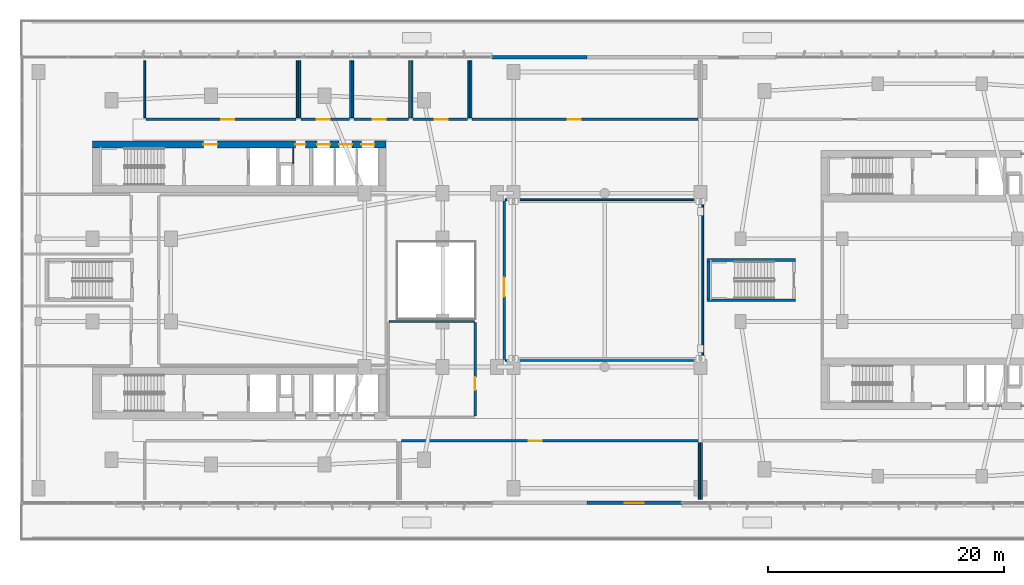
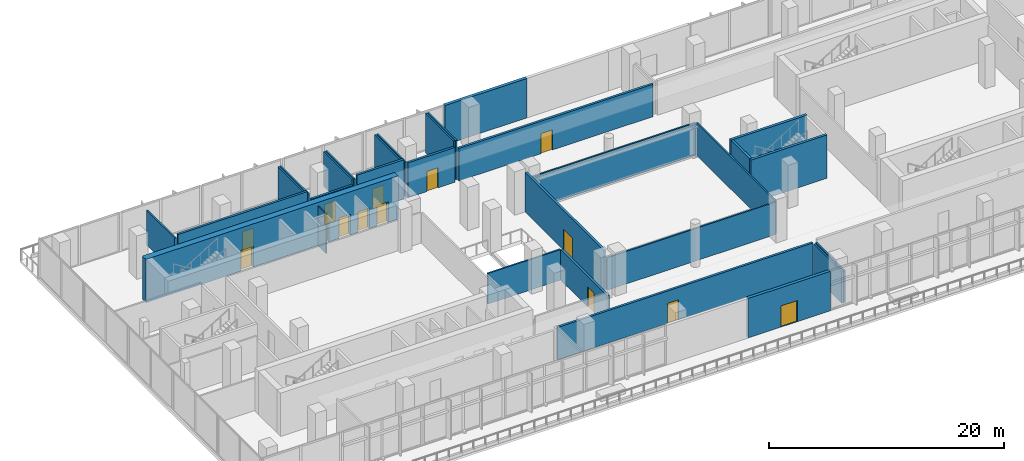
# One storey, part 15 of 31: 30 walls, 14 doors, 14 openings.
"""IFC4 building model written with IfcOpenShell, lengths in metres."""

from ifc_helpers import new_model, si_unit, derived_unit, direction, frame, frame_2d, origin, place, context, subcontext, project, spatial, rectangle, extrude, material, layer, layer_set, type_object, element, fill, save


model = new_model("IFC4")

# Units and contexts
model_context = context("Model", 3, precision=1e-05, world=origin(), true_north=direction((0.0, 1.0)))
body_context = subcontext(model_context, "Body", "Model", "MODEL_VIEW")
ifc_project = project(units=[si_unit("LENGTHUNIT", "METRE"), si_unit("AREAUNIT", "SQUARE_METRE"), si_unit("VOLUMEUNIT", "CUBIC_METRE"), si_unit("PLANEANGLEUNIT", "RADIAN"), si_unit("MASSUNIT", "GRAM", prefix="KILO"), derived_unit("THERMALTRANSMITTANCEUNIT", [(si_unit("POWERUNIT", "WATT"), 1), (si_unit("LENGTHUNIT", "METRE"), -2), (si_unit("THERMODYNAMICTEMPERATUREUNIT", "KELVIN"), -1)])], contexts=[model_context])

# Site, building, storey
site_placement = place(None, origin())
site = spatial("IfcSite", under=ifc_project, at=site_placement, CompositionType="ELEMENT")
building_placement = place(site_placement, origin())
building = spatial("IfcBuilding", under=site, at=building_placement, Name="Kivonza Crest Hotel", CompositionType="ELEMENT")
storey_placement = place(building_placement, frame((0.0, 0.0, 15.0)))
storey = spatial("IfcBuildingStorey", under=building, at=storey_placement, Name="L03", CompositionType="ELEMENT", Elevation=15.0)

# Wall, opening, door
ifc_material_1 = material(Name="Autoclaved aerated concrete blockwork", Category="masonry")
ifc_layer_1 = layer(ifc_material_1, 0.219970703125)
ifc_layer_set_1 = layer_set([ifc_layer_1], Name="Autoclaved aerated concrete blockwork")
wall_type_1 = type_object("IfcWallType", Name="WL-ACOU-220", PredefinedType="SOLIDWALL", material=ifc_layer_set_1)
wall_1_placement = place(storey_placement, frame((38.550048828125, 13.5, 0.0), z_axis=(0.0, 0.0, 1.0), x_axis=(0.0, 1.0, 0.0)))
wall_1 = element("IfcWall", 1, at=wall_1_placement, inside=storey, type_object=wall_type_1, Name="L03 interior partition WA-L03-CONF-B-E", PredefinedType="SOLIDWALL", context=body_context, shape_type="SweptSolid", body=[
    extrude(rectangle(XDim=7.89990234375, YDim=0.219970703125, at=frame_2d((3.949951171875, 0.0))), origin(), (0.0, 0.0, 1.0), 3.175048828125),
])
opening_1_placement = place(wall_1_placement, frame((2.199951171875, 0.0, 0.0)))
opening_1 = element("IfcOpeningElement", 2, at=opening_1_placement, cuts=wall_1, Name="Opening DF-60M", PredefinedType="OPENING", context=body_context, shape_type="SweptSolid", body=[
    extrude(rectangle(XDim=1.10009765625, YDim=2.10009765625, at=frame_2d((0.550048828125, 1.050048828125))), frame((0.0, 0.1201171875, 0.0), z_axis=(0.0, -1.0, 0.0), x_axis=(1.0, 0.0, 0.0)), (0.0, 0.0, 1.0), 0.239990234375),
])
ifc_material_2 = material(Name="Hardwood timber oak", Category="wood")
door_type_1 = type_object("IfcDoorType", Name="DR-FD60-1100", OperationType="NOTDEFINED", PredefinedType="DOOR", material=ifc_material_2)
door_1_placement = place(opening_1_placement, origin())
door_1 = element("IfcDoor", 3, at=door_1_placement, inside=storey, type_object=door_type_1, Name="L03 Conference Room B door", OperationType="SINGLE_SWING_RIGHT", OverallHeight=2.10009765625, OverallWidth=1.10009765625, PredefinedType="DOOR", context=body_context, shape_type="SweptSolid", body=[
    extrude(rectangle(XDim=1.10009765625, YDim=2.10009765625, at=frame_2d((0.550048828125, 1.050048828125))), frame((0.0, 0.02490234375, 0.0), z_axis=(0.0, -1.0, 0.0), x_axis=(1.0, 0.0, 0.0)), (0.0, 0.0, 1.0), 0.050048828125),
])
fill(opening_1, door_1)

wall_2_placement = place(storey_placement, frame((32.300048828125, 11.39990234375, 0.0), z_axis=(0.0, 0.0, 1.0), x_axis=(1.0, 0.0, 0.0)))
wall_2 = element("IfcWall", 4, at=wall_2_placement, inside=storey, type_object=wall_type_1, Name="L03 interior partition WA-L03-BRK-LNG1-N", PredefinedType="SOLIDWALL", context=body_context, shape_type="SweptSolid", body=[
    extrude(rectangle(XDim=25.099853515625, YDim=0.219970703125, at=frame_2d((12.5498046875, 0.0))), origin(), (0.0, 0.0, 1.0), 3.375),
])
opening_2_placement = place(wall_2_placement, frame((10.7900390625, 0.0, 0.0)))
opening_2 = element("IfcOpeningElement", 5, at=opening_2_placement, cuts=wall_2, Name="Opening DF-60M", PredefinedType="OPENING", context=body_context, shape_type="SweptSolid", body=[
    extrude(rectangle(XDim=1.10009765625, YDim=2.10009765625, at=frame_2d((0.550048828125, 1.050048828125))), frame((0.0, 0.1201171875, 0.0), z_axis=(0.0, -1.0, 0.0), x_axis=(1.0, 0.0, 0.0)), (0.0, 0.0, 1.0), 0.239990234375),
])
door_2_placement = place(opening_2_placement, frame((1.10009765625, 0.0, 0.0), z_axis=(0.0, 0.0, 1.0), x_axis=(-1.0, 0.0, 0.0)))
door_2 = element("IfcDoor", 6, at=door_2_placement, inside=storey, type_object=door_type_1, Name="L03 Conference Breakout West door", OperationType="SINGLE_SWING_RIGHT", OverallHeight=2.10009765625, OverallWidth=1.10009765625, PredefinedType="DOOR", context=body_context, shape_type="SweptSolid", body=[
    extrude(rectangle(XDim=1.10009765625, YDim=2.10009765625, at=frame_2d((0.550048828125, 1.050048828125))), frame((0.0, 0.02490234375, 0.0), z_axis=(0.0, -1.0, 0.0), x_axis=(1.0, 0.0, 0.0)), (0.0, 0.0, 1.0), 0.050048828125),
])
fill(opening_2, door_2)

wall_3_placement = place(storey_placement, frame((41.0, 18.300048828125, 0.0), z_axis=(0.0, 0.0, 1.0), x_axis=(0.0, 1.0, 0.0)))
wall_3 = element("IfcWall", 7, at=wall_3_placement, inside=storey, type_object=wall_type_1, Name="L03 interior partition WA-L03-POD-LNK-W", PredefinedType="SOLIDWALL", context=body_context, shape_type="SweptSolid", body=[
    extrude(rectangle(XDim=13.39990234375, YDim=0.219970703125, at=frame_2d((6.699951171875, 0.0))), origin(), (0.0, 0.0, 1.0), 4.10009765625),
])
opening_3_placement = place(wall_3_placement, frame((5.300048828125, 0.0, 0.0)))
opening_3 = element("IfcOpeningElement", 8, at=opening_3_placement, cuts=wall_3, Name="Opening DB-60", PredefinedType="OPENING", context=body_context, shape_type="SweptSolid", body=[
    extrude(rectangle(XDim=1.60009765625, YDim=2.14990234375, at=frame_2d((0.800048828125, 1.074951171875))), frame((0.0, 0.1201171875, 0.0), z_axis=(0.0, -1.0, 0.0), x_axis=(1.0, 0.0, 0.0)), (0.0, 0.0, 1.0), 0.239990234375),
])
ifc_material_3 = material(Name="Galvanised steel", Category="steel")
door_type_2 = type_object("IfcDoorType", Name="DR-BRG-1600", OperationType="NOTDEFINED", PredefinedType="DOOR", material=ifc_material_3)
door_3_placement = place(opening_3_placement, frame((1.60009765625, 0.0, 0.0), z_axis=(0.0, 0.0, 1.0), x_axis=(-1.0, 0.0, 0.0)))
door_3 = element("IfcDoor", 9, at=door_3_placement, inside=storey, type_object=door_type_2, Name="L03 Podium Link Gallery Hall door", OperationType="SINGLE_SWING_RIGHT", OverallHeight=2.14990234375, OverallWidth=1.60009765625, PredefinedType="DOOR", context=body_context, shape_type="SweptSolid", body=[
    extrude(rectangle(XDim=1.60009765625, YDim=2.14990234375, at=frame_2d((0.800048828125, 1.074951171875))), frame((0.0, 0.02490234375, 0.0), z_axis=(0.0, -1.0, 0.0), x_axis=(1.0, 0.0, 0.0)), (0.0, 0.0, 1.0), 0.050048828125),
])
fill(opening_3, door_3)

wall_4_placement = place(storey_placement, frame((10.699951171875, 38.60009765625, 0.0), z_axis=(0.0, 0.0, 1.0), x_axis=(1.0, 0.0, 0.0)))
wall_4 = element("IfcWall", 10, at=wall_4_placement, inside=storey, type_object=wall_type_1, Name="L03 interior partition WA-L03-CAT-PAN-S", PredefinedType="SOLIDWALL", context=body_context, shape_type="SweptSolid", body=[
    extrude(rectangle(XDim=12.699951171875, YDim=0.219970703125, at=frame_2d((6.35009765625, 0.0))), origin(), (0.0, 0.0, 1.0), 4.10009765625),
])
opening_4_placement = place(wall_4_placement, frame((6.360107421875, 0.0, 0.0)))
opening_4 = element("IfcOpeningElement", 11, at=opening_4_placement, cuts=wall_4, Name="Opening DF-60M", PredefinedType="OPENING", context=body_context, shape_type="SweptSolid", body=[
    extrude(rectangle(XDim=1.10009765625, YDim=2.10009765625, at=frame_2d((0.550048828125, 1.050048828125))), frame((0.0, 0.1201171875, 0.0), z_axis=(0.0, -1.0, 0.0), x_axis=(1.0, 0.0, 0.0)), (0.0, 0.0, 1.0), 0.239990234375),
])
door_4_placement = place(opening_4_placement, origin())
door_4 = element("IfcDoor", 12, at=door_4_placement, inside=storey, type_object=door_type_1, Name="L03 Conference Catering Pantry door", OperationType="SINGLE_SWING_RIGHT", OverallHeight=2.10009765625, OverallWidth=1.10009765625, PredefinedType="DOOR", context=body_context, shape_type="SweptSolid", body=[
    extrude(rectangle(XDim=1.10009765625, YDim=2.10009765625, at=frame_2d((0.550048828125, 1.050048828125))), frame((0.0, 0.02490234375, 0.0), z_axis=(0.0, -1.0, 0.0), x_axis=(1.0, 0.0, 0.0)), (0.0, 0.0, 1.0), 0.050048828125),
])
fill(opening_4, door_4)

wall_5_placement = place(storey_placement, frame((23.800048828125, 38.60009765625, 0.0), z_axis=(0.0, 0.0, 1.0), x_axis=(1.0, 0.0, 0.0)))
wall_5 = element("IfcWall", 13, at=wall_5_placement, inside=storey, type_object=wall_type_1, Name="L03 interior partition WA-L03-AWC-S", PredefinedType="SOLIDWALL", context=body_context, shape_type="SweptSolid", body=[
    extrude(rectangle(XDim=4.099853515625, YDim=0.219970703125, at=frame_2d((2.0498046875, 0.0))), origin(), (0.0, 0.0, 1.0), 3.175048828125),
])
opening_5_placement = place(wall_5_placement, frame((1.340087890625, 0.0, 0.0)))
opening_5 = element("IfcOpeningElement", 14, at=opening_5_placement, cuts=wall_5, Name="Opening DF-60M", PredefinedType="OPENING", context=body_context, shape_type="SweptSolid", body=[
    extrude(rectangle(XDim=1.10009765625, YDim=2.10009765625, at=frame_2d((0.550048828125, 1.050048828125))), frame((0.0, 0.1201171875, 0.0), z_axis=(0.0, -1.0, 0.0), x_axis=(1.0, 0.0, 0.0)), (0.0, 0.0, 1.0), 0.239990234375),
])
door_5_placement = place(opening_5_placement, origin())
door_5 = element("IfcDoor", 15, at=door_5_placement, inside=storey, type_object=door_type_1, Name="L03 L03 Public Accessible WC door", OperationType="SINGLE_SWING_LEFT", OverallHeight=2.10009765625, OverallWidth=1.10009765625, PredefinedType="DOOR", context=body_context, shape_type="SweptSolid", body=[
    extrude(rectangle(XDim=1.10009765625, YDim=2.10009765625, at=frame_2d((0.550048828125, 1.050048828125))), frame((0.0, 0.02490234375, 0.0), z_axis=(0.0, -1.0, 0.0), x_axis=(1.0, 0.0, 0.0)), (0.0, 0.0, 1.0), 0.050048828125),
])
fill(opening_5, door_5)

wall_6_placement = place(storey_placement, frame((28.300048828125, 38.60009765625, 0.0), z_axis=(0.0, 0.0, 1.0), x_axis=(1.0, 0.0, 0.0)))
wall_6 = element("IfcWall", 16, at=wall_6_placement, inside=storey, type_object=wall_type_1, Name="L03 interior partition WA-L03-MWC-S", PredefinedType="SOLIDWALL", context=body_context, shape_type="SweptSolid", body=[
    extrude(rectangle(XDim=4.599853515625, YDim=0.219970703125, at=frame_2d((2.2998046875, 0.0))), origin(), (0.0, 0.0, 1.0), 4.10009765625),
])
opening_6_placement = place(wall_6_placement, frame((1.56494140625, 0.0, 0.0)))
opening_6 = element("IfcOpeningElement", 17, at=opening_6_placement, cuts=wall_6, Name="Opening DF-60M", PredefinedType="OPENING", context=body_context, shape_type="SweptSolid", body=[
    extrude(rectangle(XDim=1.10009765625, YDim=2.10009765625, at=frame_2d((0.550048828125, 1.050048828125))), frame((0.0, 0.1201171875, 0.0), z_axis=(0.0, -1.0, 0.0), x_axis=(1.0, 0.0, 0.0)), (0.0, 0.0, 1.0), 0.239990234375),
])
door_6_placement = place(opening_6_placement, origin())
door_6 = element("IfcDoor", 18, at=door_6_placement, inside=storey, type_object=door_type_1, Name="L03 L03 Public Male WC door", OperationType="SINGLE_SWING_RIGHT", OverallHeight=2.10009765625, OverallWidth=1.10009765625, PredefinedType="DOOR", context=body_context, shape_type="SweptSolid", body=[
    extrude(rectangle(XDim=1.10009765625, YDim=2.10009765625, at=frame_2d((0.550048828125, 1.050048828125))), frame((0.0, 0.02490234375, 0.0), z_axis=(0.0, -1.0, 0.0), x_axis=(1.0, 0.0, 0.0)), (0.0, 0.0, 1.0), 0.050048828125),
])
fill(opening_6, door_6)

wall_7_placement = place(storey_placement, frame((33.300048828125, 38.60009765625, 0.0), z_axis=(0.0, 0.0, 1.0), x_axis=(1.0, 0.0, 0.0)))
wall_7 = element("IfcWall", 19, at=wall_7_placement, inside=storey, type_object=wall_type_1, Name="L03 interior partition WA-L03-FWC-S", PredefinedType="SOLIDWALL", context=body_context, shape_type="SweptSolid", body=[
    extrude(rectangle(XDim=4.599853515625, YDim=0.219970703125, at=frame_2d((2.2998046875, 0.0))), origin(), (0.0, 0.0, 1.0), 3.625),
])
opening_7_placement = place(wall_7_placement, frame((1.844970703125, 0.0, 0.0)))
opening_7 = element("IfcOpeningElement", 20, at=opening_7_placement, cuts=wall_7, Name="Opening DF-60M", PredefinedType="OPENING", context=body_context, shape_type="SweptSolid", body=[
    extrude(rectangle(XDim=1.10009765625, YDim=2.10009765625, at=frame_2d((0.550048828125, 1.050048828125))), frame((0.0, 0.1201171875, 0.0), z_axis=(0.0, -1.0, 0.0), x_axis=(1.0, 0.0, 0.0)), (0.0, 0.0, 1.0), 0.239990234375),
])
door_7_placement = place(opening_7_placement, origin())
door_7 = element("IfcDoor", 21, at=door_7_placement, inside=storey, type_object=door_type_1, Name="L03 L03 Public Female WC door", OperationType="SINGLE_SWING_LEFT", OverallHeight=2.10009765625, OverallWidth=1.10009765625, PredefinedType="DOOR", context=body_context, shape_type="SweptSolid", body=[
    extrude(rectangle(XDim=1.10009765625, YDim=2.10009765625, at=frame_2d((0.550048828125, 1.050048828125))), frame((0.0, 0.02490234375, 0.0), z_axis=(0.0, -1.0, 0.0), x_axis=(1.0, 0.0, 0.0)), (0.0, 0.0, 1.0), 0.050048828125),
])
fill(opening_7, door_7)

wall_8_placement = place(storey_placement, frame((38.300048828125, 38.60009765625, 0.0), z_axis=(0.0, 0.0, 1.0), x_axis=(1.0, 0.0, 0.0)))
wall_8 = element("IfcWall", 22, at=wall_8_placement, inside=storey, type_object=wall_type_1, Name="L03 interior partition WA-L03-NTH-CNF1-S", PredefinedType="SOLIDWALL", context=body_context, shape_type="SweptSolid", body=[
    extrude(rectangle(XDim=19.099853515625, YDim=0.219970703125, at=frame_2d((9.5498046875, 0.0))), origin(), (0.0, 0.0, 1.0), 3.375),
])
opening_8_placement = place(wall_8_placement, frame((8.090087890625, 0.0, 0.0)))
opening_8 = element("IfcOpeningElement", 23, at=opening_8_placement, cuts=wall_8, Name="Opening DF-60M", PredefinedType="OPENING", context=body_context, shape_type="SweptSolid", body=[
    extrude(rectangle(XDim=1.10009765625, YDim=2.10009765625, at=frame_2d((0.550048828125, 1.050048828125))), frame((0.0, 0.1201171875, 0.0), z_axis=(0.0, -1.0, 0.0), x_axis=(1.0, 0.0, 0.0)), (0.0, 0.0, 1.0), 0.239990234375),
])
door_8_placement = place(opening_8_placement, origin())
door_8 = element("IfcDoor", 24, at=door_8_placement, inside=storey, type_object=door_type_1, Name="L03 North Conference West door", OperationType="SINGLE_SWING_RIGHT", OverallHeight=2.10009765625, OverallWidth=1.10009765625, PredefinedType="DOOR", context=body_context, shape_type="SweptSolid", body=[
    extrude(rectangle(XDim=1.10009765625, YDim=2.10009765625, at=frame_2d((0.550048828125, 1.050048828125))), frame((0.0, 0.02490234375, 0.0), z_axis=(0.0, -1.0, 0.0), x_axis=(1.0, 0.0, 0.0)), (0.0, 0.0, 1.0), 0.050048828125),
])
fill(opening_8, door_8)

# Wall, openings, doors
ifc_material_4 = material(Name="Concrete C60/75", Category="concrete")
ifc_layer_2 = layer(ifc_material_4, 0.60009765625)
ifc_layer_set_2 = layer_set([ifc_layer_2], Name="Concrete C60/75")
wall_type_2 = type_object("IfcWallType", Name="WL-CORE-600", PredefinedType="SHEAR", material=ifc_layer_set_2)
wall_9_placement = place(storey_placement, frame((6.199951171875, 36.4599609375, 0.0), z_axis=(0.0, 0.0, 1.0), x_axis=(1.0, 0.0, 0.0)))
wall_9 = element("IfcWall", 25, at=wall_9_placement, inside=storey, type_object=wall_type_2, Name="Core wall T1-N North L03", PredefinedType="SHEAR", context=body_context, shape_type="SweptSolid", body=[
    extrude(rectangle(XDim=24.800048828125, YDim=0.60009765625, at=frame_2d((12.39990234375, 0.0))), origin(), (0.0, 0.0, 1.0), 4.5),
])
opening_9_placement = place(wall_9_placement, frame((9.35009765625, 0.0, 0.0)))
opening_9 = element("IfcOpeningElement", 26, at=opening_9_placement, cuts=wall_9, Name="Opening DF-60", PredefinedType="OPENING", context=body_context, shape_type="SweptSolid", body=[
    extrude(rectangle(XDim=1.199951171875, YDim=2.14990234375, at=frame_2d((0.60009765625, 1.074951171875))), frame((0.0, 0.31005859375, 0.0), z_axis=(0.0, -1.0, 0.0), x_axis=(1.0, 0.0, 0.0)), (0.0, 0.0, 1.0), 0.6201171875),
])
opening_10_placement = place(wall_9_placement, frame((17.139892578125, 0.0, 0.0)))
opening_10 = element("IfcOpeningElement", 27, at=opening_10_placement, cuts=wall_9, Name="Opening DF-60R", PredefinedType="OPENING", context=body_context, shape_type="SweptSolid", body=[
    extrude(rectangle(XDim=0.85009765625, YDim=2.10009765625, at=frame_2d((0.425048828125, 1.050048828125))), frame((0.0, 0.31005859375, 0.0), z_axis=(0.0, -1.0, 0.0), x_axis=(1.0, 0.0, 0.0)), (0.0, 0.0, 1.0), 0.6201171875),
])
opening_11_placement = place(wall_9_placement, frame((18.98291015625, 0.0, 0.0)))
opening_11 = element("IfcOpeningElement", 28, at=opening_11_placement, cuts=wall_9, Name="Opening LD-120", PredefinedType="OPENING", context=body_context, shape_type="SweptSolid", body=[
    extrude(rectangle(XDim=1.10009765625, YDim=2.14990234375, at=frame_2d((0.550048828125, 1.074951171875))), frame((0.0, 0.31005859375, 0.0), z_axis=(0.0, -1.0, 0.0), x_axis=(1.0, 0.0, 0.0)), (0.0, 0.0, 1.0), 0.6201171875),
])
opening_12_placement = place(wall_9_placement, frame((20.85009765625, 0.0, 0.0)))
opening_12 = element("IfcOpeningElement", 29, at=opening_12_placement, cuts=wall_9, Name="Opening LD-120", PredefinedType="OPENING", context=body_context, shape_type="SweptSolid", body=[
    extrude(rectangle(XDim=1.10009765625, YDim=2.14990234375, at=frame_2d((0.550048828125, 1.074951171875))), frame((0.0, 0.31005859375, 0.0), z_axis=(0.0, -1.0, 0.0), x_axis=(1.0, 0.0, 0.0)), (0.0, 0.0, 1.0), 0.6201171875),
])
opening_13_placement = place(wall_9_placement, frame((22.716064453125, 0.0, 0.0)))
opening_13 = element("IfcOpeningElement", 30, at=opening_13_placement, cuts=wall_9, Name="Opening LD-120", PredefinedType="OPENING", context=body_context, shape_type="SweptSolid", body=[
    extrude(rectangle(XDim=1.10009765625, YDim=2.14990234375, at=frame_2d((0.550048828125, 1.074951171875))), frame((0.0, 0.31005859375, 0.0), z_axis=(0.0, -1.0, 0.0), x_axis=(1.0, 0.0, 0.0)), (0.0, 0.0, 1.0), 0.6201171875),
])
door_type_3 = type_object("IfcDoorType", Name="DR-FD60-1200", OperationType="NOTDEFINED", PredefinedType="DOOR", material=ifc_material_2)
door_9_placement = place(opening_9_placement, origin())
door_9 = element("IfcDoor", 31, at=door_9_placement, inside=storey, type_object=door_type_3, Name="L03 T1-N firefighting lobby fire door", OperationType="SINGLE_SWING_RIGHT", OverallHeight=2.14990234375, OverallWidth=1.199951171875, PredefinedType="DOOR", context=body_context, shape_type="SweptSolid", body=[
    extrude(rectangle(XDim=1.199951171875, YDim=2.14990234375, at=frame_2d((0.60009765625, 1.074951171875))), frame((0.0, 0.02490234375, 0.0), z_axis=(0.0, -1.0, 0.0), x_axis=(1.0, 0.0, 0.0)), (0.0, 0.0, 1.0), 0.050048828125),
])
fill(opening_9, door_9)
door_type_4 = type_object("IfcDoorType", Name="DR-FD60-850", OperationType="NOTDEFINED", PredefinedType="DOOR", material=ifc_material_2)
door_10_placement = place(opening_10_placement, origin())
door_10 = element("IfcDoor", 32, at=door_10_placement, inside=storey, type_object=door_type_4, Name="L03 T1-N core room door", OperationType="SINGLE_SWING_RIGHT", OverallHeight=2.10009765625, OverallWidth=0.85009765625, PredefinedType="DOOR", context=body_context, shape_type="SweptSolid", body=[
    extrude(rectangle(XDim=0.85009765625, YDim=2.10009765625, at=frame_2d((0.425048828125, 1.050048828125))), frame((0.0, 0.02490234375, 0.0), z_axis=(0.0, -1.0, 0.0), x_axis=(1.0, 0.0, 0.0)), (0.0, 0.0, 1.0), 0.050048828125),
])
fill(opening_10, door_10)
ifc_material_5 = material(Name="Stainless steel", Category="steel")
door_type_5 = type_object("IfcDoorType", Name="DR-LD120-1100", OperationType="NOTDEFINED", PredefinedType="DOOR", material=ifc_material_5)
door_11_placement = place(opening_11_placement, origin())
door_11 = element("IfcDoor", 33, at=door_11_placement, inside=storey, type_object=door_type_5, Name="L03 PL-T1-L1 passenger lift sliding landing door", OperationType="DOUBLE_DOOR_SLIDING", OverallHeight=2.14990234375, OverallWidth=1.10009765625, PredefinedType="DOOR", context=body_context, shape_type="SweptSolid", body=[
    extrude(rectangle(XDim=1.10009765625, YDim=2.14990234375, at=frame_2d((0.550048828125, 1.074951171875))), frame((0.0, 0.02490234375, 0.0), z_axis=(0.0, -1.0, 0.0), x_axis=(1.0, 0.0, 0.0)), (0.0, 0.0, 1.0), 0.050048828125),
])
fill(opening_11, door_11)
door_12_placement = place(opening_12_placement, origin())
door_12 = element("IfcDoor", 34, at=door_12_placement, inside=storey, type_object=door_type_5, Name="L03 PL-T1-L2 passenger lift sliding landing door", OperationType="DOUBLE_DOOR_SLIDING", OverallHeight=2.14990234375, OverallWidth=1.10009765625, PredefinedType="DOOR", context=body_context, shape_type="SweptSolid", body=[
    extrude(rectangle(XDim=1.10009765625, YDim=2.14990234375, at=frame_2d((0.550048828125, 1.074951171875))), frame((0.0, 0.02490234375, 0.0), z_axis=(0.0, -1.0, 0.0), x_axis=(1.0, 0.0, 0.0)), (0.0, 0.0, 1.0), 0.050048828125),
])
fill(opening_12, door_12)
door_13_placement = place(opening_13_placement, origin())
door_13 = element("IfcDoor", 35, at=door_13_placement, inside=storey, type_object=door_type_5, Name="L03 PL-T1-L3 passenger lift sliding landing door", OperationType="DOUBLE_DOOR_SLIDING", OverallHeight=2.14990234375, OverallWidth=1.10009765625, PredefinedType="DOOR", context=body_context, shape_type="SweptSolid", body=[
    extrude(rectangle(XDim=1.10009765625, YDim=2.14990234375, at=frame_2d((0.550048828125, 1.074951171875))), frame((0.0, 0.02490234375, 0.0), z_axis=(0.0, -1.0, 0.0), x_axis=(1.0, 0.0, 0.0)), (0.0, 0.0, 1.0), 0.050048828125),
])
fill(opening_13, door_13)

# Wall, opening, door
ifc_material_6 = material(Name="Precast concrete C40/50", Category="concrete")
ifc_layer_3 = layer(ifc_material_6, 0.300048828125)
ifc_layer_set_3 = layer_set([ifc_layer_3], Name="Precast concrete C40/50")
wall_type_3 = type_object("IfcWallType", Name="WL-EXT-300", PredefinedType="STANDARD", material=ifc_layer_set_3)
wall_10_placement = place(storey_placement, frame((47.991943359375, 6.14990234375, 0.0), z_axis=(0.0, 0.0, 1.0), x_axis=(1.0, 0.0, 0.0)))
wall_10 = element("IfcWall", 36, at=wall_10_placement, inside=storey, type_object=wall_type_3, Name="L03 POD exterior insulated wall 7", PredefinedType="STANDARD", context=body_context, shape_type="SweptSolid", body=[
    extrude(rectangle(XDim=8.050048828125, YDim=0.300048828125, at=frame_2d((4.02490234375, 0.0))), origin(), (0.0, 0.0, 1.0), 4.10009765625),
])
opening_14_placement = place(wall_10_placement, frame((3.2080078125, 0.0, 0.0)))
opening_14 = element("IfcOpeningElement", 37, at=opening_14_placement, cuts=wall_10, Name="Opening DT-160", PredefinedType="OPENING", context=body_context, shape_type="SweptSolid", body=[
    extrude(rectangle(XDim=1.60009765625, YDim=2.199951171875, at=frame_2d((0.800048828125, 1.10009765625))), frame((0.0, 0.16015625, 0.0), z_axis=(0.0, -1.0, 0.0), x_axis=(1.0, 0.0, 0.0)), (0.0, 0.0, 1.0), 0.320068359375),
])
ifc_material_7 = material(Name="Anodised bronze aluminium and laminated safety glass", Category="aluminium")
door_type_6 = type_object("IfcDoorType", Name="DR-TERR-1600", OperationType="NOTDEFINED", PredefinedType="DOOR", material=ifc_material_7)
door_14_placement = place(opening_14_placement, frame((1.60009765625, 0.0, 0.0), z_axis=(0.0, 0.0, 1.0), x_axis=(-1.0, 0.0, 0.0)))
door_14 = element("IfcDoor", 38, at=door_14_placement, inside=storey, type_object=door_type_6, Name="L03 South stepped terrace access door", OperationType="DOUBLE_DOOR_SINGLE_SWING", OverallHeight=2.199951171875, OverallWidth=1.60009765625, PredefinedType="DOOR", context=body_context, shape_type="SweptSolid", body=[
    extrude(rectangle(XDim=1.60009765625, YDim=2.199951171875, at=frame_2d((0.800048828125, 1.10009765625))), frame((0.0, 0.02490234375, 0.0), z_axis=(0.0, -1.0, 0.0), x_axis=(1.0, 0.0, 0.0)), (0.0, 0.0, 1.0), 0.050048828125),
])
fill(opening_14, door_14)

# Walls
wall_11_placement = place(storey_placement, frame((48.008056640625, 43.85009765625, 0.0), z_axis=(0.0, 0.0, 1.0), x_axis=(-1.0, 0.0, 0.0)))
element("IfcWall", 39, at=wall_11_placement, inside=storey, type_object=wall_type_3, Name="L03 POD exterior insulated wall 24", PredefinedType="STANDARD", context=body_context, shape_type="SweptSolid", body=[
    extrude(rectangle(XDim=8.050048828125, YDim=0.300048828125, at=frame_2d((4.02490234375, 0.0))), origin(), (0.0, 0.0, 1.0), 4.10009765625),
])
ifc_material_8 = material(Name="Metal-stud gypsum board partition", Category="gypsum")
ifc_layer_4 = layer(ifc_material_8, 0.125)
ifc_layer_set_4 = layer_set([ifc_layer_4], Name="Metal-stud gypsum board partition")
wall_type_4 = type_object("IfcWallType", Name="WL-PART-125", PredefinedType="PARTITIONING", material=ifc_layer_set_4)
wall_12_placement = place(storey_placement, frame((23.159912109375, 34.820068359375, 0.0), z_axis=(0.0, 0.0, 1.0), x_axis=(0.0, 1.0, 0.0)))
element("IfcWall", 40, at=wall_12_placement, inside=storey, type_object=wall_type_4, Name="L03 interior partition WP-L03-T1-N-SV1V", PredefinedType="PARTITIONING", context=body_context, shape_type="SweptSolid", body=[
    extrude(rectangle(XDim=1.33984375, YDim=0.125, at=frame_2d((0.669921875, 0.0))), origin(), (0.0, 0.0, 1.0), 4.10009765625),
])
ifc_material_9 = material(Name="Twin-stud acoustic gypsum board partition", Category="gypsum")
ifc_layer_5 = layer(ifc_material_9, 0.14990234375)
ifc_layer_set_5 = layer_set([ifc_layer_5], Name="Twin-stud acoustic gypsum board partition")
wall_type_5 = type_object("IfcWallType", Name="WL-PART-150", PredefinedType="PARTITIONING", material=ifc_layer_set_5)
wall_13_placement = place(storey_placement, frame((31.300048828125, 21.5, 0.0), z_axis=(0.0, 0.0, 1.0), x_axis=(1.0, 0.0, 0.0)))
element("IfcWall", 41, at=wall_13_placement, inside=storey, type_object=wall_type_5, Name="L03 interior partition WP-L03-CONF-B-BN", PredefinedType="PARTITIONING", context=body_context, shape_type="SweptSolid", body=[
    extrude(rectangle(XDim=7.14990234375, YDim=0.14990234375, at=frame_2d((3.574951171875, 0.0))), origin(), (0.0, 0.0, 1.0), 3.175048828125),
])
wall_14_placement = place(storey_placement, frame((57.5, 6.449951171875, 0.0), z_axis=(0.0, 0.0, 1.0), x_axis=(0.0, 1.0, 0.0)))
element("IfcWall", 42, at=wall_14_placement, inside=storey, type_object=wall_type_5, Name="L03 interior partition WP-L03-BRK-LNG1-BE", PredefinedType="PARTITIONING", context=body_context, shape_type="SweptSolid", body=[
    extrude(rectangle(XDim=4.800048828125, YDim=0.14990234375, at=frame_2d((2.39990234375, 0.0))), origin(), (0.0, 0.0, 1.0), 3.27490234375),
])
wall_15_placement = place(storey_placement, frame((57.699951171875, 6.449951171875, 0.0), z_axis=(0.0, 0.0, 1.0), x_axis=(0.0, 1.0, 0.0)))
element("IfcWall", 43, at=wall_15_placement, inside=storey, type_object=wall_type_5, Name="L03 interior partition WP-L03-BRK-LNG2-BW", PredefinedType="PARTITIONING", context=body_context, shape_type="SweptSolid", body=[
    extrude(rectangle(XDim=4.800048828125, YDim=0.14990234375, at=frame_2d((2.39990234375, 0.0))), origin(), (0.0, 0.0, 1.0), 3.375),
])
wall_16_placement = place(storey_placement, frame((57.800048828125, 18.300048828125, 0.0), z_axis=(0.0, 0.0, 1.0), x_axis=(0.0, 1.0, 0.0)))
element("IfcWall", 44, at=wall_16_placement, inside=storey, type_object=wall_type_5, Name="L03 interior partition WP-L03-POD-LNK-BE", PredefinedType="PARTITIONING", context=body_context, shape_type="SweptSolid", body=[
    extrude(rectangle(XDim=13.39990234375, YDim=0.14990234375, at=frame_2d((6.699951171875, 0.0))), origin(), (0.0, 0.0, 1.0), 3.375),
])
for number, where, z_axis, x_axis, name in (
    (45, (41.10009765625, 18.199951171875, 0.0), (0.0, 0.0, 1.0), (1.0, 0.0, 0.0), "L03 interior partition WP-L03-POD-LNK-BS"),
    (46, (41.10009765625, 31.800048828125, 0.0), (0.0, 0.0, 1.0), (1.0, 0.0, 0.0), "L03 interior partition WP-L03-POD-LNK-BN"),
):
    element("IfcWall", number, at=place(storey_placement, frame(where, z_axis=z_axis, x_axis=x_axis)), inside=storey, type_object=wall_type_5, Name=name, PredefinedType="PARTITIONING", context=body_context, shape_type="SweptSolid", body=[
        extrude(rectangle(XDim=16.599853515625, YDim=0.14990234375, at=frame_2d((8.2998046875, 0.0))), origin(), (0.0, 0.0, 1.0), 3.375),
    ])
for number, where, z_axis, x_axis, name in (
    (47, (10.60009765625, 38.75, 0.0), (0.0, 0.0, 1.0), (0.0, 1.0, 0.0), "L03 interior partition WP-L03-CAT-PAN-BW"),
    (48, (23.5, 38.75, 0.0), (0.0, 0.0, 1.0), (0.0, 1.0, 0.0), "L03 interior partition WP-L03-CAT-PAN-BE"),
    (49, (23.699951171875, 38.75, 0.0), (0.0, 0.0, 1.0), (0.0, 1.0, 0.0), "L03 interior partition WP-L03-AWC-BW"),
    (50, (28.0, 38.75, 0.0), (0.0, 0.0, 1.0), (0.0, 1.0, 0.0), "L03 interior partition WP-L03-AWC-BE"),
    (51, (28.199951171875, 38.75, 0.0), (0.0, 0.0, 1.0), (0.0, 1.0, 0.0), "L03 interior partition WP-L03-MWC-BW"),
    (52, (33.0, 38.75, 0.0), (0.0, 0.0, 1.0), (0.0, 1.0, 0.0), "L03 interior partition WP-L03-MWC-BE"),
    (53, (33.199951171875, 38.75, 0.0), (0.0, 0.0, 1.0), (0.0, 1.0, 0.0), "L03 interior partition WP-L03-FWC-BW"),
):
    element("IfcWall", number, at=place(storey_placement, frame(where, z_axis=z_axis, x_axis=x_axis)), inside=storey, type_object=wall_type_5, Name=name, PredefinedType="PARTITIONING", context=body_context, shape_type="SweptSolid", body=[
        extrude(rectangle(XDim=4.800048828125, YDim=0.14990234375, at=frame_2d((2.39990234375, 0.0))), origin(), (0.0, 0.0, 1.0), 3.625),
    ])
for number, where, z_axis, x_axis, name in (
    (54, (38.0, 38.75, 0.0), (0.0, 0.0, 1.0), (0.0, 1.0, 0.0), "L03 interior partition WP-L03-FWC-BE"),
    (55, (38.199951171875, 38.75, 0.0), (0.0, 0.0, 1.0), (0.0, 1.0, 0.0), "L03 interior partition WP-L03-NTH-CNF1-BW"),
):
    element("IfcWall", number, at=place(storey_placement, frame(where, z_axis=z_axis, x_axis=x_axis)), inside=storey, type_object=wall_type_5, Name=name, PredefinedType="PARTITIONING", context=body_context, shape_type="SweptSolid", body=[
        extrude(rectangle(XDim=4.800048828125, YDim=0.14990234375, at=frame_2d((2.39990234375, 0.0))), origin(), (0.0, 0.0, 1.0), 4.10009765625),
    ])
ifc_material_10 = material(Name="Concrete C50/60", Category="concrete")
ifc_layer_6 = layer(ifc_material_10, 0.25)
ifc_layer_set_6 = layer_set([ifc_layer_6], Name="Concrete C50/60")
wall_type_6 = type_object("IfcWallType", Name="WL-SHAFT-250", PredefinedType="STANDARD", material=ifc_layer_set_6)
for number, where, z_axis, x_axis, name in (
    (56, (58.14990234375, 23.294921875, 0.0), (0.0, 0.0, 1.0), (1.0, 0.0, 0.0), "Podium stair enclosure wall ST-POD-E S L03"),
    (57, (58.14990234375, 26.705078125, 0.0), (0.0, 0.0, 1.0), (1.0, 0.0, 0.0), "Podium stair enclosure wall ST-POD-E N L03"),
):
    element("IfcWall", number, at=place(storey_placement, frame(where, z_axis=z_axis, x_axis=x_axis)), inside=storey, type_object=wall_type_6, Name=name, PredefinedType="STANDARD", context=body_context, shape_type="SweptSolid", body=[
        extrude(rectangle(XDim=7.5, YDim=0.25, at=frame_2d((3.75, 0.0))), origin(), (0.0, 0.0, 1.0), 4.5),
    ])
wall_17_placement = place(storey_placement, frame((58.27490234375, 23.419921875, 0.0), z_axis=(0.0, 0.0, 1.0), x_axis=(0.0, 1.0, 0.0)))
element("IfcWall", 58, at=wall_17_placement, inside=storey, type_object=wall_type_6, Name="Podium stair enclosure wall ST-POD-E W L03", PredefinedType="STANDARD", context=body_context, shape_type="SweptSolid", body=[
    extrude(rectangle(XDim=3.16015625, YDim=0.25, at=frame_2d((1.580078125, 0.0))), origin(), (0.0, 0.0, 1.0), 4.5),
])

save(model, "model.ifc")
